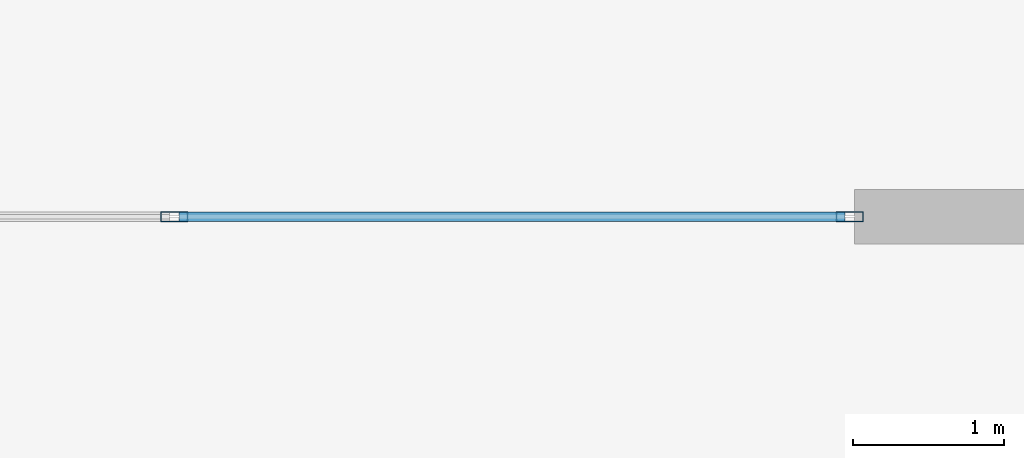
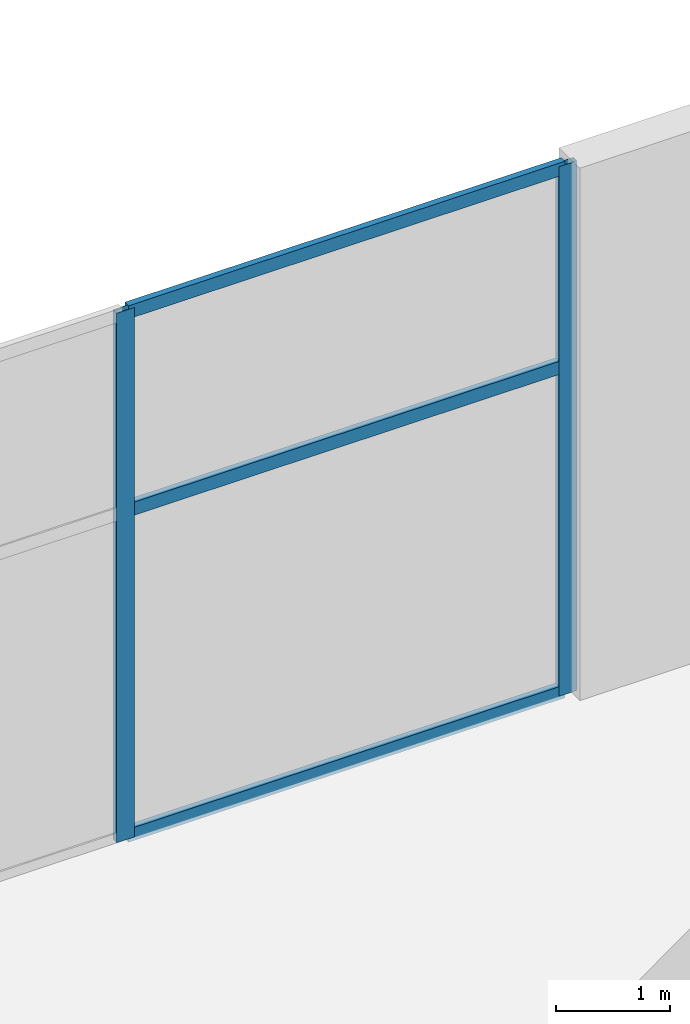
# One storey, part 14 of 30: 5 members, 1 element without a shape of its own.
"""IFC4 building model written with IfcOpenShell, lengths in metres."""

from ifc_helpers import new_model, si_unit, direction, frame, origin, origin_2d, place, context, subcontext, project, spatial, hollow_rectangle, extrude, material, layer, layer_set, material_profile, profile_set, type_object, element, aggregate, save


model = new_model("IFC4")

# Units and contexts
model_context = context("Model", 3, precision=1e-05, world=origin(), true_north=direction((0.0, 1.0)))
body_context = subcontext(model_context, "Body", "Model", "MODEL_VIEW")
ifc_project = project(units=[si_unit("LENGTHUNIT", "METRE"), si_unit("AREAUNIT", "SQUARE_METRE"), si_unit("VOLUMEUNIT", "CUBIC_METRE"), si_unit("PLANEANGLEUNIT", "RADIAN"), si_unit("MASSUNIT", "GRAM", prefix="KILO")], contexts=[model_context])

# Site, building, storey
site_placement = place(None, origin())
site = spatial("IfcSite", under=ifc_project, at=site_placement, CompositionType="ELEMENT")
building_placement = place(site_placement, origin())
building = spatial("IfcBuilding", under=site, at=building_placement, Name="Haevon Station Towers", CompositionType="ELEMENT")
storey_placement = place(building_placement, origin())
storey = spatial("IfcBuildingStorey", under=building, at=storey_placement, Name="L00", CompositionType="ELEMENT", Elevation=0.0)

# Curtain wall, members
ifc_material_1 = material(Name="Anodised aluminium and Low-E double glazing", Category="aluminium")
ifc_layer = layer(ifc_material_1, 0.179931640625)
ifc_layer_set = layer_set([ifc_layer], Name="Anodised aluminium and Low-E double glazing")
curtain_wall_type = type_object("IfcCurtainWallType", Name="CW-SYS1", PredefinedType="NOTDEFINED", material=ifc_layer_set)
curtain_wall_placement = place(storey_placement, origin())
curtain_wall = element("IfcCurtainWall", 1, at=curtain_wall_placement, inside=storey, type_object=curtain_wall_type, Name="L00 Curtain Wall CW-POD-L00-N1", PredefinedType="NOTDEFINED")
ifc_material_2 = material(Name="Anodised aluminium 6063-T6", Category="aluminium")
ifc_material_profile_1 = material_profile(ifc_material_2, hollow_rectangle(XDim=0.06494140625, YDim=0.179931640625, WallThickness=0.00390625, at=origin_2d()), Name="CWM-180x65x4")
ifc_profile_set_1 = profile_set([ifc_material_profile_1], Name="Anodised aluminium 6063-T6")
member_type_1 = type_object("IfcMemberType", Name="CWM-180", PredefinedType="MULLION", material=ifc_profile_set_1)
member_1_placement = place(storey_placement, frame((67.5, 55.5, 0.0), z_axis=(0.0, 0.0, 1.0), x_axis=(0.0, 1.0, 0.0)))
member_1 = element("IfcMember", 2, at=member_1_placement, type_object=member_type_1, Name="CW-SYS1 mullion 4", PredefinedType="MULLION", context=body_context, shape_type="SweptSolid", body=[
    extrude(hollow_rectangle(XDim=0.06494140625, YDim=0.179931640625, WallThickness=0.00390625, at=origin_2d()), origin(), (0.0, 0.0, 1.0), 5.64990234375),
])
member_2_placement = place(storey_placement, frame((71.967529296875, 55.5, 0.0), z_axis=(0.0, 0.0, 1.0), x_axis=(0.0, 1.0, 0.0)))
member_2 = element("IfcMember", 3, at=member_2_placement, type_object=member_type_1, Name="CW-SYS1 mullion 5", PredefinedType="MULLION", context=body_context, shape_type="SweptSolid", body=[
    extrude(hollow_rectangle(XDim=0.06494140625, YDim=0.179931640625, WallThickness=0.00390625, at=origin_2d()), origin(), (0.0, 0.0, 1.0), 5.64990234375),
])
ifc_material_profile_2 = material_profile(ifc_material_2, hollow_rectangle(XDim=0.06494140625, YDim=0.139892578125, WallThickness=0.00341796875, at=origin_2d()), Name="CWT-140x65x3.5")
ifc_profile_set_2 = profile_set([ifc_material_profile_2], Name="Anodised aluminium 6063-T6")
member_type_2 = type_object("IfcMemberType", Name="CWT-140", PredefinedType="USERDEFINED", material=ifc_profile_set_2)
member_3_placement = place(storey_placement, frame((67.532470703125, 55.5, 0.032470703125), z_axis=(1.0, 0.0, 0.0), x_axis=(0.0, 1.0, 0.0)))
member_3 = element("IfcMember", 4, at=member_3_placement, type_object=member_type_2, Name="CW-SYS1 transom 4.1", ObjectType="TRANSOM", PredefinedType="USERDEFINED", context=body_context, shape_type="SweptSolid", body=[
    extrude(hollow_rectangle(XDim=0.06494140625, YDim=0.139892578125, WallThickness=0.00341796875, at=origin_2d()), origin(), (0.0, 0.0, 1.0), 4.402587890625),
])
member_4_placement = place(storey_placement, frame((67.532470703125, 55.5, 3.5029296875), z_axis=(1.0, 0.0, 0.0), x_axis=(0.0, 1.0, 0.0)))
member_4 = element("IfcMember", 5, at=member_4_placement, type_object=member_type_2, Name="CW-SYS1 transom 4.2", ObjectType="TRANSOM", PredefinedType="USERDEFINED", context=body_context, shape_type="SweptSolid", body=[
    extrude(hollow_rectangle(XDim=0.06494140625, YDim=0.139892578125, WallThickness=0.00341796875, at=origin_2d()), origin(), (0.0, 0.0, 1.0), 4.402587890625),
])
member_5_placement = place(storey_placement, frame((67.532470703125, 55.5, 5.617431640625), z_axis=(1.0, 0.0, 0.0), x_axis=(0.0, 1.0, 0.0)))
member_5 = element("IfcMember", 6, at=member_5_placement, type_object=member_type_2, Name="CW-SYS1 transom 4.3", ObjectType="TRANSOM", PredefinedType="USERDEFINED", context=body_context, shape_type="SweptSolid", body=[
    extrude(hollow_rectangle(XDim=0.06494140625, YDim=0.139892578125, WallThickness=0.00341796875, at=origin_2d()), origin(), (0.0, 0.0, 1.0), 4.402587890625),
])
aggregate(curtain_wall, [member_1, member_2, member_3, member_4, member_5])

save(model, "model.ifc")
